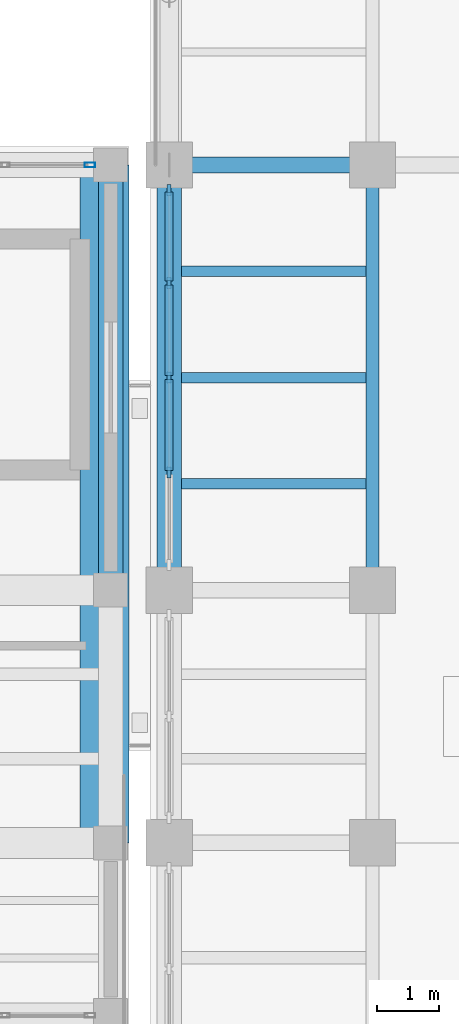
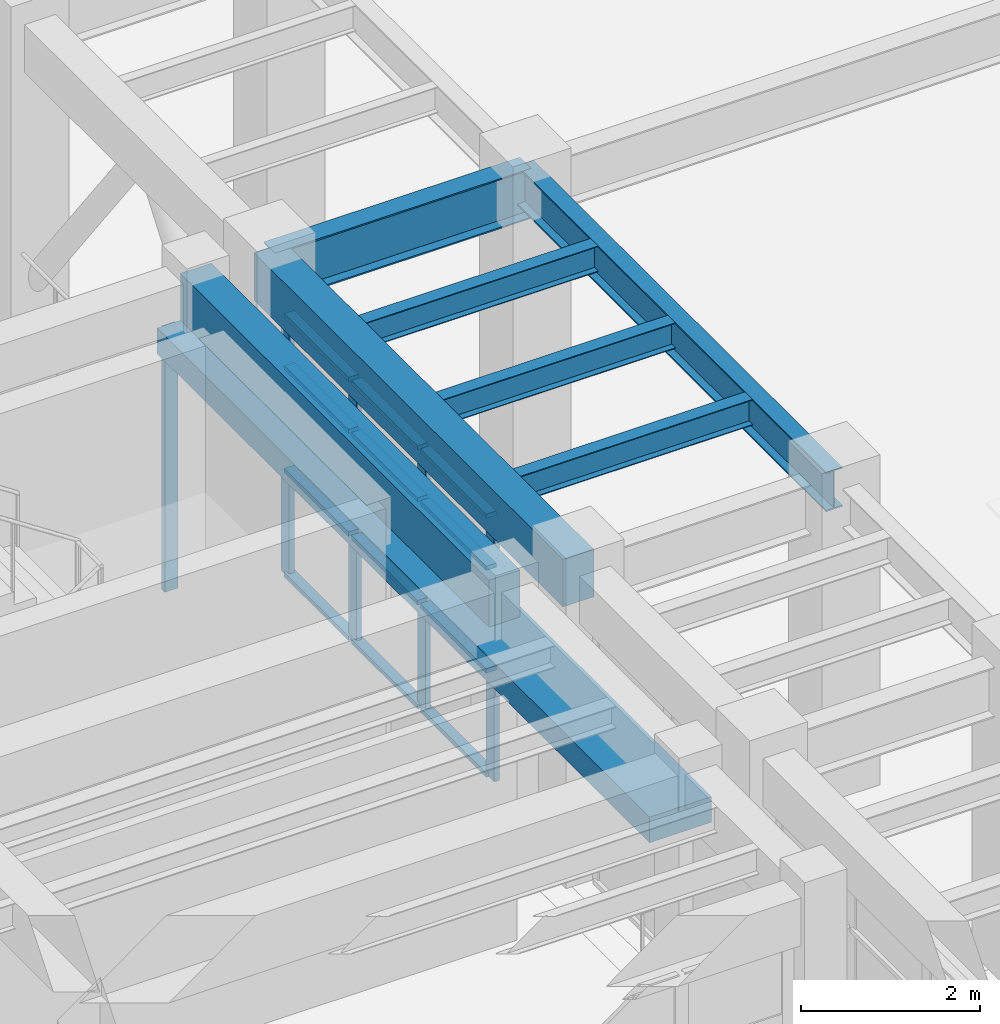
# One storey, part 37 of 85: 17 members, 8 beams, 2 elements without a shape of their own.
"""IFC4 building model written with IfcOpenShell, lengths in metres."""

import ifcopenshell
import ifcopenshell.guid

model = None  # the IFC model being written
_history = None  # IfcOwnerHistory: only IFC2X3 demands one
_inside = {}  # id of a spatial element -> (the spatial element, [elements in it])
_under = {}  # id of a project, library or spatial element -> (it, [spatial elements below it])
_declared = {}  # id of a project -> (the project, [libraries it declares])
_typed = {}  # id of a type object -> (the type object, [elements of that type])
_made_of = {}  # id of a material, layer set ... -> (it, [elements and type objects made of it])


def new_model(schema):
    """Start an empty IFC model of exactly this schema.

    Asked for "IFC4X3", IfcOpenShell would pick the latest addendum, in which some entities
    have other attributes; the version numbers below select the first issue.
    IFC2X3 requires an IfcOwnerHistory on every rooted entity: one is made here for all.
    """
    global model, _history
    if schema == "IFC4X3":
        model = ifcopenshell.file(schema_version=(4, 3, 0, 0))
    else:
        model = ifcopenshell.file(schema=schema)
    _inside.clear()
    _under.clear()
    _declared.clear()
    _typed.clear()
    _made_of.clear()
    _history = None
    if model.schema == "IFC2X3":
        org = make("IfcOrganization", Name="unknown")
        user = make(
            "IfcPersonAndOrganization",
            ThePerson=make("IfcPerson", FamilyName="unknown"),
            TheOrganization=org,
        )
        app = make(
            "IfcApplication",
            ApplicationDeveloper=org,
            Version="unknown",
            ApplicationFullName="unknown",
            ApplicationIdentifier="unknown",
        )
        _history = make(
            "IfcOwnerHistory",
            OwningUser=user,
            OwningApplication=app,
            ChangeAction="ADDED",
            CreationDate=0,
        )
    return model


def make(cls, **values):
    """One entity of the class cls with the attributes given. An attribute that is None is left unset."""
    return model.create_entity(
        cls, **{name: value for name, value in values.items() if value is not None}
    )


def rooted(cls, **values):
    """An entity with a GlobalId (a new one), such as an element, a storey or a relation."""
    return make(cls, GlobalId=ifcopenshell.guid.new(), OwnerHistory=_history, **values)


def si_unit(unit_type, name, prefix=None):
    """IfcSIUnit, for example si_unit("LENGTHUNIT", "METRE", prefix="MILLI")."""
    return make("IfcSIUnit", UnitType=unit_type, Prefix=prefix, Name=name)


def assignment(units):
    """IfcUnitAssignment: the units of a project."""
    return None if units is None else make("IfcUnitAssignment", Units=units)


def point(xyz):
    """IfcCartesianPoint."""
    return None if xyz is None else make("IfcCartesianPoint", Coordinates=xyz)


def direction(xyz):
    """IfcDirection."""
    return None if xyz is None else make("IfcDirection", DirectionRatios=xyz)


def frame(location, z_axis=None, x_axis=None):
    """IfcAxis2Placement3D, a coordinate frame: its origin and axes. An axis left out is left unset."""
    return make(
        "IfcAxis2Placement3D",
        Location=point(location),
        Axis=direction(z_axis),
        RefDirection=direction(x_axis),
    )


def frame_2d(location, x_axis=None):
    """IfcAxis2Placement2D, a coordinate frame in the plane: its origin and x axis."""
    return make(
        "IfcAxis2Placement2D", Location=point(location), RefDirection=direction(x_axis)
    )


def origin():
    """The frame at (0, 0, 0) with its axes left unset."""
    return frame((0.0, 0.0, 0.0))


def origin_2d():
    """The frame at (0, 0) in the plane with its x axis left unset."""
    return frame_2d((0.0, 0.0))


def place(relative_to, where):
    """IfcLocalPlacement: puts the frame where relative to a parent placement (None: the world)."""
    return make(
        "IfcLocalPlacement", PlacementRelTo=relative_to, RelativePlacement=where
    )


def context(
    kind, dimensions, precision=None, world=None, true_north=None, identifier=None
):
    """IfcGeometricRepresentationContext, for example the 3D "Model" context."""
    return make(
        "IfcGeometricRepresentationContext",
        ContextIdentifier=identifier,
        ContextType=kind,
        CoordinateSpaceDimension=dimensions,
        Precision=precision,
        WorldCoordinateSystem=world,
        TrueNorth=true_north,
    )


def subcontext(parent, identifier, kind, view, scale=None):
    """IfcGeometricRepresentationSubContext, for example "Body" below "Model"."""
    return make(
        "IfcGeometricRepresentationSubContext",
        ContextIdentifier=identifier,
        ContextType=kind,
        ParentContext=parent,
        TargetScale=scale,
        TargetView=view,
    )


def project(units=None, contexts=None):
    """IfcProject with its units and contexts."""
    return rooted(
        "IfcProject",
        Name="project",
        RepresentationContexts=contexts,
        UnitsInContext=assignment(units),
    )


def spatial(cls, under=None, at=None, **own):
    """A site, building, storey or space (cls), placed at a placement, below another one or the project."""
    s = rooted(cls, ObjectPlacement=at, **own)
    if under is not None:
        _under.setdefault(under.id(), (under, []))[1].append(s)
    return s


def profile(cls, at=None, kind="AREA", **sizes):
    """A parametric profile (cls). Its sizes go by their IFC names, for example OverallWidth=200.0."""
    return make(cls, ProfileType=kind, Position=at, **sizes)


def rectangle(**sizes):
    """IfcRectangleProfileDef."""
    return profile("IfcRectangleProfileDef", **sizes)


def hollow_rectangle(**sizes):
    """IfcRectangleHollowProfileDef."""
    return profile("IfcRectangleHollowProfileDef", **sizes)


def i_section(**sizes):
    """IfcIShapeProfileDef."""
    return profile("IfcIShapeProfileDef", **sizes)


def extrude(swept, where, along, depth):
    """IfcExtrudedAreaSolid: the profile swept, set in the frame where, extruded along a direction by depth."""
    return make(
        "IfcExtrudedAreaSolid",
        SweptArea=swept,
        Position=where,
        ExtrudedDirection=direction(along),
        Depth=depth,
    )


def shape(context_of_items, identifier, shape_type, items):
    """IfcShapeRepresentation: the items that make up one representation, for example the "Body"."""
    return make(
        "IfcShapeRepresentation",
        ContextOfItems=context_of_items,
        RepresentationIdentifier=identifier,
        RepresentationType=shape_type,
        Items=items,
    )


def material(Name=None, Category=None):
    """IfcMaterial."""
    return make("IfcMaterial", Name=Name, Category=Category)


def layer(
    of_material, thickness, ventilated=None, Name=None, Category=None, Priority=None
):
    """IfcMaterialLayer: one layer of a wall or slab, of a material (None: an air gap)."""
    return make(
        "IfcMaterialLayer",
        Material=of_material,
        LayerThickness=thickness,
        IsVentilated=ventilated,
        Name=Name,
        Category=Category,
        Priority=Priority,
    )


def layer_set(layers, Name=None):
    """IfcMaterialLayerSet."""
    return make("IfcMaterialLayerSet", MaterialLayers=layers, LayerSetName=Name)


def material_profile(
    of_material, cross_section, Name=None, Category=None, Priority=None
):
    """IfcMaterialProfile: a cross section and its material."""
    return make(
        "IfcMaterialProfile",
        Name=Name,
        Material=of_material,
        Profile=cross_section,
        Priority=Priority,
        Category=Category,
    )


def profile_set(profiles, Name=None, composite=None):
    """IfcMaterialProfileSet."""
    return make(
        "IfcMaterialProfileSet",
        Name=Name,
        MaterialProfiles=profiles,
        CompositeProfile=composite,
    )


def made_of(thing, what):
    """Note that an element or type object is made of a material, layer set ...; save() writes the relation."""
    if what is not None:
        _made_of.setdefault(what.id(), (what, []))[1].append(thing)
    return thing


def type_object(cls, material=None, **own):
    """A type object (cls), such as IfcWallType, which elements share."""
    return made_of(rooted(cls, **own), material)


def element(
    cls,
    number,
    at=None,
    inside=None,
    cuts=None,
    type_object=None,
    material=None,
    context=None,
    identifier="Body",
    shape_type=None,
    held_by="IfcProductDefinitionShape",
    body=None,
    shapes=None,
    **own,
):
    """One element of the class cls, such as IfcWall. Its Tag is "e" and its number.

    at: its placement. inside: the storey or other place that contains it. cuts: it is an
    opening in that element (IfcRelVoidsElement). A single representation is given by context,
    identifier, shape_type and body (its items); several are given by shapes. held_by: the class
    of the entity that holds the representations. save() writes the other relations.
    """
    e = rooted(cls, Tag="e%d" % number, ObjectPlacement=at, **own)
    if body is not None:
        shapes = [shape(context, identifier, shape_type, body)]
    if shapes is not None:
        e.Representation = make(held_by, Representations=shapes)
    if inside is not None:
        _inside.setdefault(inside.id(), (inside, []))[1].append(e)
    if cuts is not None:
        rooted(
            "IfcRelVoidsElement", RelatingBuildingElement=cuts, RelatedOpeningElement=e
        )
    if type_object is not None:
        _typed.setdefault(type_object.id(), (type_object, []))[1].append(e)
    return made_of(e, material)


def aggregate(whole, parts):
    """IfcRelAggregates: a whole, such as a stair, and the parts it consists of."""
    return rooted("IfcRelAggregates", RelatingObject=whole, RelatedObjects=parts)


def save(model, path):
    """Write the relations noted so far, then the file.

    IfcRelAggregates (storeys below a building ...), IfcRelContainedInSpatialStructure (elements
    in a storey), IfcRelDefinesByType, IfcRelAssociatesMaterial and IfcRelDeclares: one each for
    every whole, place, type object, material and project.
    """
    for whole, parts in _under.values():
        aggregate(whole, parts)
    for where, things in _inside.values():
        rooted(
            "IfcRelContainedInSpatialStructure",
            RelatedElements=things,
            RelatingStructure=where,
        )
    for kind, things in _typed.values():
        rooted("IfcRelDefinesByType", RelatedObjects=things, RelatingType=kind)
    for what, things in _made_of.values():
        rooted("IfcRelAssociatesMaterial", RelatedObjects=things, RelatingMaterial=what)
    for by, libraries in _declared.values():
        rooted("IfcRelDeclares", RelatingContext=by, RelatedDefinitions=libraries)
    model.write(path)


model = new_model("IFC4")

# Units and contexts
model_context = context("Model", 3, precision=1e-05, world=origin(), true_north=direction((0.0, 1.0)))
body_context = subcontext(model_context, "Body", "Model", "MODEL_VIEW")
ifc_project = project(units=[si_unit("LENGTHUNIT", "METRE"), si_unit("AREAUNIT", "SQUARE_METRE"), si_unit("VOLUMEUNIT", "CUBIC_METRE"), si_unit("PLANEANGLEUNIT", "RADIAN"), si_unit("MASSUNIT", "GRAM", prefix="KILO")], contexts=[model_context])

# Site, building, storey
site_placement = place(None, origin())
site = spatial("IfcSite", under=ifc_project, at=site_placement, CompositionType="ELEMENT")
building_placement = place(site_placement, origin())
building = spatial("IfcBuilding", under=site, at=building_placement, Name="Candilejo Ridge Gondola Terminal", CompositionType="ELEMENT")
storey_placement = place(building_placement, frame((0.0, 0.0, 4.5)))
storey = spatial("IfcBuildingStorey", under=building, at=storey_placement, Name="L01", CompositionType="ELEMENT", Elevation=4.5)

# Curtain wall, member
ifc_material_1 = material(Name="Anodised aluminium AA 6063-T6", Category="aluminium")
ifc_layer_1 = layer(ifc_material_1, 0.169921875)
ifc_layer_set_1 = layer_set([ifc_layer_1], Name="ARC-CW-GALLERY-3200-710X359")
curtain_wall_type_1 = type_object("IfcCurtainWallType", Name="ARC-CW-GALLERY-3200-710X359", PredefinedType="NOTDEFINED", material=ifc_layer_set_1)
curtain_wall_1_placement = place(storey_placement, origin())
curtain_wall_1 = element("IfcCurtainWall", 1, at=curtain_wall_1_placement, inside=storey, type_object=curtain_wall_type_1, Name="Curtain wall V3 L01-080", PredefinedType="NOTDEFINED")
ifc_material_2 = material(Name="Anodised aluminium AA 6063-T6", Category="aluminium")
ifc_material_profile_1 = material_profile(ifc_material_2, hollow_rectangle(XDim=0.074951171875, YDim=0.169921875, WallThickness=0.00390625, at=origin_2d()))
ifc_profile_set_1 = profile_set([ifc_material_profile_1], Name="Anodised aluminium AA 6063-T6")
member_type_1 = type_object("IfcMemberType", Name="ARC-CW-MULLION", PredefinedType="MULLION", material=ifc_profile_set_1)
member_1_placement = place(storey_placement, frame((132.612548828125, 36.699951171875, 0.0), z_axis=(0.0, 0.0, 1.0), x_axis=(0.0, 1.0, 0.0)))
member_1 = element("IfcMember", 2, at=member_1_placement, type_object=member_type_1, Name="CW-71X35 mullion 6", PredefinedType="MULLION", context=body_context, shape_type="SweptSolid", body=[
    extrude(hollow_rectangle(XDim=0.074951171875, YDim=0.169921875, WallThickness=0.00390625, at=origin_2d()), origin(), (0.0, 0.0, 1.0), 3.590087890625),
])
aggregate(curtain_wall_1, [member_1])

# Curtain wall, members
ifc_material_3 = material(Name="Anodised aluminium AA 6063-T6", Category="aluminium")
ifc_layer_2 = layer(ifc_material_3, 0.169921875)
ifc_layer_set_2 = layer_set([ifc_layer_2], Name="ARC-CW-HALL-3800-615X359")
curtain_wall_type_2 = type_object("IfcCurtainWallType", Name="ARC-CW-HALL-3800-615X359", PredefinedType="NOTDEFINED", material=ifc_layer_set_2)
curtain_wall_2_placement = place(storey_placement, origin())
curtain_wall_2 = element("IfcCurtainWall", 3, at=curtain_wall_2_placement, inside=storey, type_object=curtain_wall_type_2, Name="Curtain wall V4 L01-117", PredefinedType="NOTDEFINED")
ifc_material_4 = material(Name="Anodised aluminium AA 6063-T6", Category="aluminium")
ifc_material_profile_2 = material_profile(ifc_material_4, rectangle(XDim=0.06494140625, YDim=0.179931640625, at=origin_2d()))
ifc_profile_set_2 = profile_set([ifc_material_profile_2], Name="Anodised aluminium AA 6063-T6")
member_type_2 = type_object("IfcMemberType", Name="ARC-CW-MULLION-180", PredefinedType="MULLION", material=ifc_profile_set_2)
member_2_placement = place(storey_placement, frame((133.89990234375, 31.71240234375, 0.0), z_axis=(0.0, 0.0, 1.0), x_axis=(-1.0, 0.0, 0.0)))
member_2 = element("IfcMember", 4, at=member_2_placement, type_object=member_type_2, Name="CW-61X35 mullion 2", PredefinedType="MULLION", context=body_context, shape_type="SweptSolid", body=[
    extrude(rectangle(XDim=0.06494140625, YDim=0.179931640625, at=origin_2d()), origin(), (0.0, 0.0, 1.0), 3.590087890625),
])
member_3_placement = place(storey_placement, frame((133.89990234375, 33.25, 0.0), z_axis=(0.0, 0.0, 1.0), x_axis=(-1.0, 0.0, 0.0)))
member_3 = element("IfcMember", 5, at=member_3_placement, type_object=member_type_2, Name="CW-61X35 mullion 3", PredefinedType="MULLION", context=body_context, shape_type="SweptSolid", body=[
    extrude(rectangle(XDim=0.06494140625, YDim=0.179931640625, at=origin_2d()), origin(), (0.0, 0.0, 1.0), 3.590087890625),
])
member_4_placement = place(storey_placement, frame((133.89990234375, 34.78759765625, 0.0), z_axis=(0.0, 0.0, 1.0), x_axis=(-1.0, 0.0, 0.0)))
member_4 = element("IfcMember", 6, at=member_4_placement, type_object=member_type_2, Name="CW-61X35 mullion 4", PredefinedType="MULLION", context=body_context, shape_type="SweptSolid", body=[
    extrude(rectangle(XDim=0.06494140625, YDim=0.179931640625, at=origin_2d()), origin(), (0.0, 0.0, 1.0), 3.590087890625),
])
member_5_placement = place(storey_placement, frame((133.89990234375, 36.29248046875, 0.0), z_axis=(0.0, 0.0, 1.0), x_axis=(-1.0, 0.0, 0.0)))
member_5 = element("IfcMember", 7, at=member_5_placement, type_object=member_type_2, Name="CW-61X35 mullion 5", PredefinedType="MULLION", context=body_context, shape_type="SweptSolid", body=[
    extrude(rectangle(XDim=0.06494140625, YDim=0.179931640625, at=origin_2d()), origin(), (0.0, 0.0, 1.0), 3.590087890625),
])
ifc_material_5 = material(Name="Anodised aluminium AA 6063-T6", Category="aluminium")
ifc_material_profile_3 = material_profile(ifc_material_5, rectangle(XDim=0.1298828125, YDim=0.06005859375, at=origin_2d()))
ifc_profile_set_3 = profile_set([ifc_material_profile_3], Name="Anodised aluminium AA 6063-T6")
member_type_3 = type_object("IfcMemberType", Name="ARC-CW-TRANSOM-130", PredefinedType="USERDEFINED", material=ifc_profile_set_3)
member_6_placement = place(storey_placement, frame((133.89990234375, 31.7451171875, 0.030029296875), z_axis=(0.0, 1.0, 0.0), x_axis=(-1.0, 0.0, 0.0)))
member_6 = element("IfcMember", 8, at=member_6_placement, type_object=member_type_3, Name="CW-61X35 transom 2.1", ObjectType="TRANSOM", PredefinedType="USERDEFINED", context=body_context, shape_type="SweptSolid", body=[
    extrude(rectangle(XDim=0.1298828125, YDim=0.06005859375, at=origin_2d()), origin(), (0.0, 0.0, 1.0), 1.472412109375),
])
member_7_placement = place(storey_placement, frame((133.89990234375, 31.7451171875, 1.449951171875), z_axis=(0.0, 1.0, 0.0), x_axis=(-1.0, 0.0, 0.0)))
member_7 = element("IfcMember", 9, at=member_7_placement, type_object=member_type_3, Name="CW-61X35 transom 2.2", ObjectType="TRANSOM", PredefinedType="USERDEFINED", context=body_context, shape_type="SweptSolid", body=[
    extrude(rectangle(XDim=0.1298828125, YDim=0.06005859375, at=origin_2d()), origin(), (0.0, 0.0, 1.0), 1.472412109375),
])
member_8_placement = place(storey_placement, frame((133.89990234375, 31.7451171875, 2.85009765625), z_axis=(0.0, 1.0, 0.0), x_axis=(-1.0, 0.0, 0.0)))
member_8 = element("IfcMember", 10, at=member_8_placement, type_object=member_type_3, Name="CW-61X35 transom 2.3", ObjectType="TRANSOM", PredefinedType="USERDEFINED", context=body_context, shape_type="SweptSolid", body=[
    extrude(rectangle(XDim=0.1298828125, YDim=0.06005859375, at=origin_2d()), origin(), (0.0, 0.0, 1.0), 1.472412109375),
])
member_9_placement = place(storey_placement, frame((133.89990234375, 31.7451171875, 3.56005859375), z_axis=(0.0, 1.0, 0.0), x_axis=(-1.0, 0.0, 0.0)))
member_9 = element("IfcMember", 11, at=member_9_placement, type_object=member_type_3, Name="CW-61X35 transom 2.4", ObjectType="TRANSOM", PredefinedType="USERDEFINED", context=body_context, shape_type="SweptSolid", body=[
    extrude(rectangle(XDim=0.1298828125, YDim=0.06005859375, at=origin_2d()), origin(), (0.0, 0.0, 1.0), 1.472412109375),
])
member_10_placement = place(storey_placement, frame((133.89990234375, 33.282470703125, 0.030029296875), z_axis=(0.0, 1.0, 0.0), x_axis=(-1.0, 0.0, 0.0)))
member_10 = element("IfcMember", 12, at=member_10_placement, type_object=member_type_3, Name="CW-61X35 transom 3.1", ObjectType="TRANSOM", PredefinedType="USERDEFINED", context=body_context, shape_type="SweptSolid", body=[
    extrude(rectangle(XDim=0.1298828125, YDim=0.06005859375, at=origin_2d()), origin(), (0.0, 0.0, 1.0), 1.472412109375),
])
member_11_placement = place(storey_placement, frame((133.89990234375, 33.282470703125, 1.449951171875), z_axis=(0.0, 1.0, 0.0), x_axis=(-1.0, 0.0, 0.0)))
member_11 = element("IfcMember", 13, at=member_11_placement, type_object=member_type_3, Name="CW-61X35 transom 3.2", ObjectType="TRANSOM", PredefinedType="USERDEFINED", context=body_context, shape_type="SweptSolid", body=[
    extrude(rectangle(XDim=0.1298828125, YDim=0.06005859375, at=origin_2d()), origin(), (0.0, 0.0, 1.0), 1.472412109375),
])
member_12_placement = place(storey_placement, frame((133.89990234375, 33.282470703125, 2.85009765625), z_axis=(0.0, 1.0, 0.0), x_axis=(-1.0, 0.0, 0.0)))
member_12 = element("IfcMember", 14, at=member_12_placement, type_object=member_type_3, Name="CW-61X35 transom 3.3", ObjectType="TRANSOM", PredefinedType="USERDEFINED", context=body_context, shape_type="SweptSolid", body=[
    extrude(rectangle(XDim=0.1298828125, YDim=0.06005859375, at=origin_2d()), origin(), (0.0, 0.0, 1.0), 1.472412109375),
])
member_13_placement = place(storey_placement, frame((133.89990234375, 33.282470703125, 3.56005859375), z_axis=(0.0, 1.0, 0.0), x_axis=(-1.0, 0.0, 0.0)))
member_13 = element("IfcMember", 15, at=member_13_placement, type_object=member_type_3, Name="CW-61X35 transom 3.4", ObjectType="TRANSOM", PredefinedType="USERDEFINED", context=body_context, shape_type="SweptSolid", body=[
    extrude(rectangle(XDim=0.1298828125, YDim=0.06005859375, at=origin_2d()), origin(), (0.0, 0.0, 1.0), 1.472412109375),
])
member_14_placement = place(storey_placement, frame((133.89990234375, 34.820068359375, 0.030029296875), z_axis=(0.0, 1.0, 0.0), x_axis=(-1.0, 0.0, 0.0)))
member_14 = element("IfcMember", 16, at=member_14_placement, type_object=member_type_3, Name="CW-61X35 transom 4.1", ObjectType="TRANSOM", PredefinedType="USERDEFINED", context=body_context, shape_type="SweptSolid", body=[
    extrude(rectangle(XDim=0.1298828125, YDim=0.06005859375, at=origin_2d()), origin(), (0.0, 0.0, 1.0), 1.43994140625),
])
member_15_placement = place(storey_placement, frame((133.89990234375, 34.820068359375, 1.449951171875), z_axis=(0.0, 1.0, 0.0), x_axis=(-1.0, 0.0, 0.0)))
member_15 = element("IfcMember", 17, at=member_15_placement, type_object=member_type_3, Name="CW-61X35 transom 4.2", ObjectType="TRANSOM", PredefinedType="USERDEFINED", context=body_context, shape_type="SweptSolid", body=[
    extrude(rectangle(XDim=0.1298828125, YDim=0.06005859375, at=origin_2d()), origin(), (0.0, 0.0, 1.0), 1.43994140625),
])
member_16_placement = place(storey_placement, frame((133.89990234375, 34.820068359375, 2.85009765625), z_axis=(0.0, 1.0, 0.0), x_axis=(-1.0, 0.0, 0.0)))
member_16 = element("IfcMember", 18, at=member_16_placement, type_object=member_type_3, Name="CW-61X35 transom 4.3", ObjectType="TRANSOM", PredefinedType="USERDEFINED", context=body_context, shape_type="SweptSolid", body=[
    extrude(rectangle(XDim=0.1298828125, YDim=0.06005859375, at=origin_2d()), origin(), (0.0, 0.0, 1.0), 1.43994140625),
])
member_17_placement = place(storey_placement, frame((133.89990234375, 34.820068359375, 3.56005859375), z_axis=(0.0, 1.0, 0.0), x_axis=(-1.0, 0.0, 0.0)))
member_17 = element("IfcMember", 19, at=member_17_placement, type_object=member_type_3, Name="CW-61X35 transom 4.4", ObjectType="TRANSOM", PredefinedType="USERDEFINED", context=body_context, shape_type="SweptSolid", body=[
    extrude(rectangle(XDim=0.1298828125, YDim=0.06005859375, at=origin_2d()), origin(), (0.0, 0.0, 1.0), 1.43994140625),
])
aggregate(curtain_wall_2, [member_2, member_3, member_4, member_5, member_6, member_7, member_8, member_9, member_10, member_11, member_12, member_13, member_14, member_15, member_16, member_17])

# Beams
ifc_material_6 = material(Name="Steel ASTM A992 Grade 50", Category="steel")
ifc_material_profile_4 = material_profile(ifc_material_6, i_section(OverallWidth=0.2109375, OverallDepth=0.5390625, WebThickness=0.01171875, FlangeThickness=0.018798828125, at=origin_2d()))
ifc_profile_set_4 = profile_set([ifc_material_profile_4], Name="Steel ASTM A992 Grade 50")
beam_type_1 = type_object("IfcBeamType", Name="STR-BM-W530X109", PredefinedType="BEAM", material=ifc_profile_set_4)
beam_1_placement = place(storey_placement, frame((137.199951171875, 29.800048828125, 3.930419921875), z_axis=(0.0, 1.0, 0.0), x_axis=(-1.0, 0.0, 0.0)))
element("IfcBeam", 20, at=beam_1_placement, inside=storey, type_object=beam_type_1, Name="Beam Y V4 L01 Y06-Y07@X22", PredefinedType="BEAM", context=body_context, shape_type="SweptSolid", body=[
    extrude(i_section(OverallWidth=0.2109375, OverallDepth=0.5390625, WebThickness=0.01171875, FlangeThickness=0.018798828125, at=origin_2d()), origin(), (0.0, 0.0, 1.0), 6.89990234375),
])
ifc_material_7 = material(Name="Steel ASTM A992 Grade 50", Category="steel")
ifc_material_profile_5 = material_profile(ifc_material_7, i_section(OverallWidth=0.25390625, OverallDepth=0.68408203125, WebThickness=0.012451171875, FlangeThickness=0.018798828125, at=origin_2d()))
ifc_profile_set_5 = profile_set([ifc_material_profile_5], Name="Steel ASTM A992 Grade 50")
beam_type_2 = type_object("IfcBeamType", Name="STR-BM-W690X140", PredefinedType="BEAM", material=ifc_profile_set_5)
beam_2_placement = place(storey_placement, frame((133.89990234375, 36.699951171875, 3.85791015625), z_axis=(1.0, 0.0, 0.0), x_axis=(0.0, 1.0, 0.0)))
element("IfcBeam", 21, at=beam_2_placement, inside=storey, type_object=beam_type_2, Name="Beam X V4 L01 X21-X22@Y07", PredefinedType="BEAM", context=body_context, shape_type="SweptSolid", body=[
    extrude(i_section(OverallWidth=0.25390625, OverallDepth=0.68408203125, WebThickness=0.012451171875, FlangeThickness=0.018798828125, at=origin_2d()), origin(), (0.0, 0.0, 1.0), 3.300048828125),
])
ifc_material_8 = material(Name="Concrete f'c 35 MPa (C35/45)", Category="concrete")
ifc_material_profile_6 = material_profile(ifc_material_8, rectangle(XDim=0.800048828125, YDim=0.35009765625, at=origin_2d()))
ifc_profile_set_6 = profile_set([ifc_material_profile_6], Name="Concrete f'c 35 MPa (C35/45)")
beam_type_3 = type_object("IfcBeamType", Name="STR-CRB-RC800X350", PredefinedType="SPANDREL", material=ifc_profile_set_6)
beam_3_placement = place(storey_placement, frame((132.85009765625, 25.699951171875, 3.43505859375), z_axis=(0.0, 1.0, 0.0), x_axis=(-1.0, 0.0, 0.0)))
element("IfcBeam", 22, at=beam_3_placement, inside=storey, type_object=beam_type_3, Name="Seismic bridge 800 mm RC corbel seat LB-SJ3-L02", PredefinedType="SPANDREL", context=body_context, shape_type="SweptSolid", body=[
    extrude(rectangle(XDim=0.800048828125, YDim=0.35009765625, at=origin_2d()), origin(), (0.0, 0.0, 1.0), 11.0),
])
ifc_material_9 = material(Name="Steel ASTM A992 Grade 50", Category="steel")
ifc_material_profile_7 = material_profile(ifc_material_9, i_section(OverallWidth=0.1708984375, OverallDepth=0.35205078125, WebThickness=0.0068359375, FlangeThickness=0.009765625, at=origin_2d()))
ifc_profile_set_7 = profile_set([ifc_material_profile_7], Name="Steel ASTM A992 Grade 50")
beam_type_4 = type_object("IfcBeamType", Name="STR-JST-W360X44", PredefinedType="JOIST", material=ifc_profile_set_7)
for number, where, z_axis, x_axis, name in (
    (23, (134.10009765625, 31.52490234375, 4.02392578125), (1.0, 0.0, 0.0), (0.0, 1.0, 0.0), "Composite joist V4 L01-0897"),
    (24, (134.10009765625, 33.25, 4.02392578125), (1.0, 0.0, 0.0), (0.0, 1.0, 0.0), "Composite joist V4 L01-0898"),
    (25, (134.10009765625, 34.97509765625, 4.02392578125), (1.0, 0.0, 0.0), (0.0, 1.0, 0.0), "Composite joist V4 L01-0899"),
):
    element("IfcBeam", number, at=place(storey_placement, frame(where, z_axis=z_axis, x_axis=x_axis)), inside=storey, type_object=beam_type_4, Name=name, PredefinedType="JOIST", context=body_context, shape_type="SweptSolid", body=[
        extrude(i_section(OverallWidth=0.1708984375, OverallDepth=0.35205078125, WebThickness=0.0068359375, FlangeThickness=0.009765625, at=origin_2d()), origin(), (0.0, 0.0, 1.0), 2.994384765625),
    ])
ifc_material_10 = material(Name="Concrete f'c 35 MPa (C35/45)", Category="concrete")
ifc_material_profile_8 = material_profile(ifc_material_10, rectangle(XDim=0.39990234375, YDim=0.64990234375, at=origin_2d()))
ifc_profile_set_8 = profile_set([ifc_material_profile_8], Name="Concrete f'c 35 MPa (C35/45)")
beam_type_5 = type_object("IfcBeamType", Name="STR-SPN-RC400X650", PredefinedType="SPANDREL", material=ifc_profile_set_8)
for number, where, z_axis, x_axis, name in (
    (26, (132.949951171875, 29.800048828125, 3.925048828125), (0.0, 1.0, 0.0), (-1.0, 0.0, 0.0), "Beam Y V3 L01 Y06-Y07@X20"),
    (27, (133.89990234375, 29.800048828125, 3.875), (0.0, 1.0, 0.0), (-1.0, 0.0, 0.0), "Beam Y V4 L01 Y06-Y07@X21"),
):
    element("IfcBeam", number, at=place(storey_placement, frame(where, z_axis=z_axis, x_axis=x_axis)), inside=storey, type_object=beam_type_5, Name=name, PredefinedType="SPANDREL", context=body_context, shape_type="SweptSolid", body=[
        extrude(rectangle(XDim=0.39990234375, YDim=0.64990234375, at=origin_2d()), origin(), (0.0, 0.0, 1.0), 6.89990234375),
    ])

save(model, "model.ifc")
